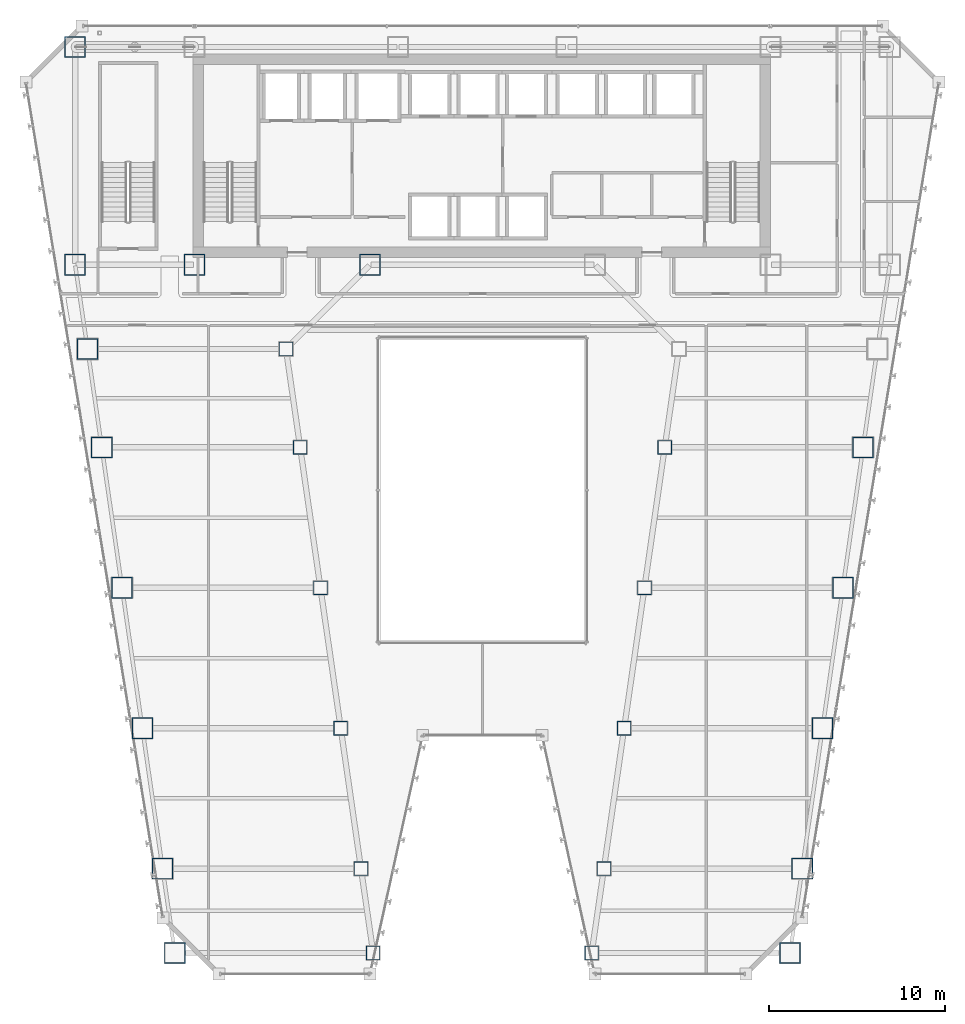
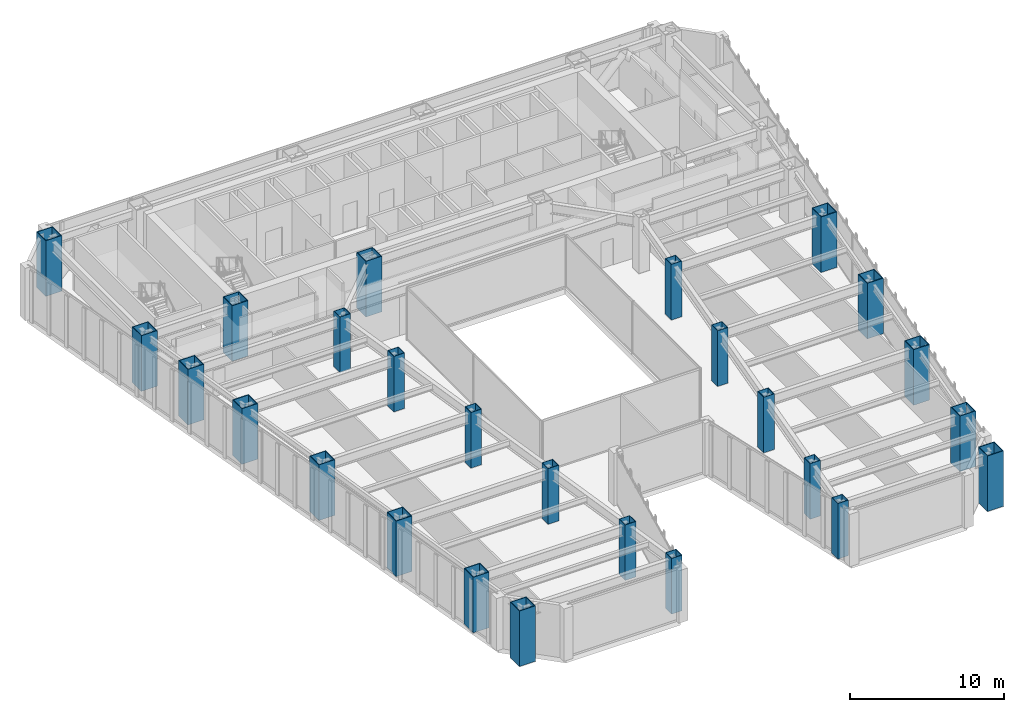
# One storey, part 1 of 49: 26 columns.
"""IFC4 building model written with IfcOpenShell, lengths in metres."""

from ifc_helpers import new_model, si_unit, direction, frame, origin, origin_2d, place, context, subcontext, project, spatial, hollow_rectangle, extrude, material, material_profile, profile_set, type_object, element, save


model = new_model("IFC4")

# Units and contexts
model_context = context("Model", 3, precision=1e-05, world=origin(), true_north=direction((0.0, 1.0)))
body_context = subcontext(model_context, "Body", "Model", "MODEL_VIEW")
ifc_project = project(units=[si_unit("LENGTHUNIT", "METRE"), si_unit("AREAUNIT", "SQUARE_METRE"), si_unit("VOLUMEUNIT", "CUBIC_METRE"), si_unit("PLANEANGLEUNIT", "RADIAN"), si_unit("MASSUNIT", "GRAM", prefix="KILO")], contexts=[model_context])

# Site, building, storey
site_placement = place(None, origin())
site = spatial("IfcSite", under=ifc_project, at=site_placement, CompositionType="ELEMENT")
building_placement = place(site_placement, origin())
building = spatial("IfcBuilding", under=site, at=building_placement, Name="Saevonmaru Cultural Tower", CompositionType="ELEMENT")
storey_placement = place(building_placement, frame((0.0, 0.0, 38.39990234375)))
storey = spatial("IfcBuildingStorey", under=building, at=storey_placement, Name="L07", CompositionType="ELEMENT", Elevation=38.39990234375)

# Columns
ifc_material_1 = material(Name="Steel HSA600 (600 MPa)", Category="steel")
ifc_material_profile_1 = material_profile(ifc_material_1, hollow_rectangle(XDim=1.199951171875, YDim=1.199951171875, WallThickness=0.054931640625, at=origin_2d()), Name="BOX-1200x1200x55")
ifc_profile_set_1 = profile_set([ifc_material_profile_1], Name="Steel HSA600 (600 MPa)")
column_type_1 = type_object("IfcColumnType", Name="COL-BOX-1200", PredefinedType="COLUMN", material=ifc_profile_set_1)
for number, where, z_axis, x_axis, name in (
    (1, (6.800048828125, 54.800048828125, 0.0), (0.0, 0.0, 1.0), (1.0, 0.0, 0.0), "L07 Column TC-N1N"),
    (2, (6.800048828125, 42.39990234375, 0.0), (0.0, 0.0, 1.0), (1.0, 0.0, 0.0), "L07 Column TC-S1C"),
    (3, (13.60009765625, 42.39990234375, 0.0), (0.0, 0.0, 1.0), (1.0, 0.0, 0.0), "L07 Column TC-S2C"),
    (4, (23.60009765625, 42.39990234375, 0.0), (0.0, 0.0, 1.0), (1.0, 0.0, 0.0), "L07 Column TC-S3C"),
    (5, (12.47705078125, 3.199951171875, 0.0), (0.0, 0.0, 1.0), (1.0, 0.0, 0.0), "L07 Column TC-WO-Y032"),
    (6, (47.52294921875, 3.199951171875, 0.0), (0.0, 0.0, 1.0), (1.0, 0.0, 0.0), "L07 Column TC-EO-Y032"),
    (7, (11.782958984375, 8.0, 0.0), (0.0, 0.0, 1.0), (1.0, 0.0, 0.0), "L07 Column TC-WO-Y080"),
    (8, (48.217041015625, 8.0, 0.0), (0.0, 0.0, 1.0), (1.0, 0.0, 0.0), "L07 Column TC-EO-Y080"),
    (9, (10.6279296875, 16.0, 0.0), (0.0, 0.0, 1.0), (1.0, 0.0, 0.0), "L07 Column TC-WO-Y160"),
    (10, (49.3720703125, 16.0, 0.0), (0.0, 0.0, 1.0), (1.0, 0.0, 0.0), "L07 Column TC-EO-Y160"),
    (11, (9.471923828125, 24.0, 0.0), (0.0, 0.0, 1.0), (1.0, 0.0, 0.0), "L07 Column TC-WO-Y240"),
    (12, (50.528076171875, 24.0, 0.0), (0.0, 0.0, 1.0), (1.0, 0.0, 0.0), "L07 Column TC-EO-Y240"),
    (13, (8.31689453125, 32.0, 0.0), (0.0, 0.0, 1.0), (1.0, 0.0, 0.0), "L07 Column TC-WO-Y320"),
    (14, (51.68310546875, 32.0, 0.0), (0.0, 0.0, 1.0), (1.0, 0.0, 0.0), "L07 Column TC-EO-Y320"),
    (15, (7.508056640625, 37.60009765625, 0.0), (0.0, 0.0, 1.0), (1.0, 0.0, 0.0), "L07 Column TC-WO-Y376"),
):
    element("IfcColumn", number, at=place(storey_placement, frame(where, z_axis=z_axis, x_axis=x_axis)), inside=storey, type_object=column_type_1, Name=name, PredefinedType="COLUMN", context=body_context, shape_type="SweptSolid", body=[
        extrude(hollow_rectangle(XDim=1.199951171875, YDim=1.199951171875, WallThickness=0.054931640625, at=origin_2d()), origin(), (0.0, 0.0, 1.0), 4.400146484375),
    ])
ifc_material_2 = material(Name="Steel SM420", Category="steel")
ifc_material_profile_2 = material_profile(ifc_material_2, hollow_rectangle(XDim=0.800048828125, YDim=0.800048828125, WallThickness=0.035888671875, at=origin_2d()), Name="BOX-800x800x36")
ifc_profile_set_2 = profile_set([ifc_material_profile_2], Name="Steel SM420")
column_type_2 = type_object("IfcColumnType", Name="COL-BOX-800", PredefinedType="COLUMN", material=ifc_profile_set_2)
for number, where, z_axis, x_axis, name in (
    (16, (23.777099609375, 3.199951171875, 0.0), (0.0, 0.0, 1.0), (1.0, 0.0, 0.0), "L07 Column TC-WI-Y032"),
    (17, (36.222900390625, 3.199951171875, 0.0), (0.0, 0.0, 1.0), (1.0, 0.0, 0.0), "L07 Column TC-EI-Y032"),
    (18, (23.0830078125, 8.0, 0.0), (0.0, 0.0, 1.0), (1.0, 0.0, 0.0), "L07 Column TC-WI-Y080"),
    (19, (36.9169921875, 8.0, 0.0), (0.0, 0.0, 1.0), (1.0, 0.0, 0.0), "L07 Column TC-EI-Y080"),
    (20, (21.927978515625, 16.0, 0.0), (0.0, 0.0, 1.0), (1.0, 0.0, 0.0), "L07 Column TC-WI-Y160"),
    (21, (38.072021484375, 16.0, 0.0), (0.0, 0.0, 1.0), (1.0, 0.0, 0.0), "L07 Column TC-EI-Y160"),
    (22, (20.77197265625, 24.0, 0.0), (0.0, 0.0, 1.0), (1.0, 0.0, 0.0), "L07 Column TC-WI-Y240"),
    (23, (39.22802734375, 24.0, 0.0), (0.0, 0.0, 1.0), (1.0, 0.0, 0.0), "L07 Column TC-EI-Y240"),
    (24, (19.616943359375, 32.0, 0.0), (0.0, 0.0, 1.0), (1.0, 0.0, 0.0), "L07 Column TC-WI-Y320"),
    (25, (40.383056640625, 32.0, 0.0), (0.0, 0.0, 1.0), (1.0, 0.0, 0.0), "L07 Column TC-EI-Y320"),
    (26, (18.80810546875, 37.60009765625, 0.0), (0.0, 0.0, 1.0), (1.0, 0.0, 0.0), "L07 Column TC-WI-Y376"),
):
    element("IfcColumn", number, at=place(storey_placement, frame(where, z_axis=z_axis, x_axis=x_axis)), inside=storey, type_object=column_type_2, Name=name, PredefinedType="COLUMN", context=body_context, shape_type="SweptSolid", body=[
        extrude(hollow_rectangle(XDim=0.800048828125, YDim=0.800048828125, WallThickness=0.035888671875, at=origin_2d()), origin(), (0.0, 0.0, 1.0), 4.400146484375),
    ])

save(model, "model.ifc")
